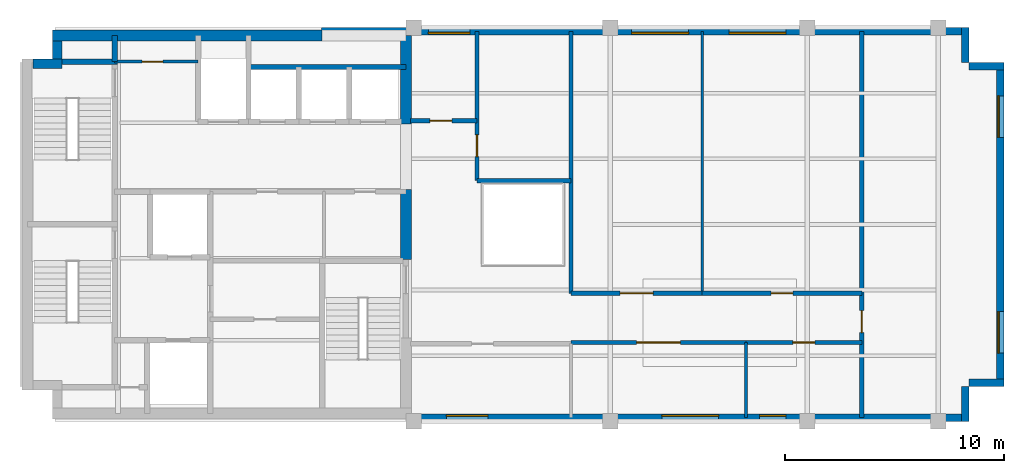
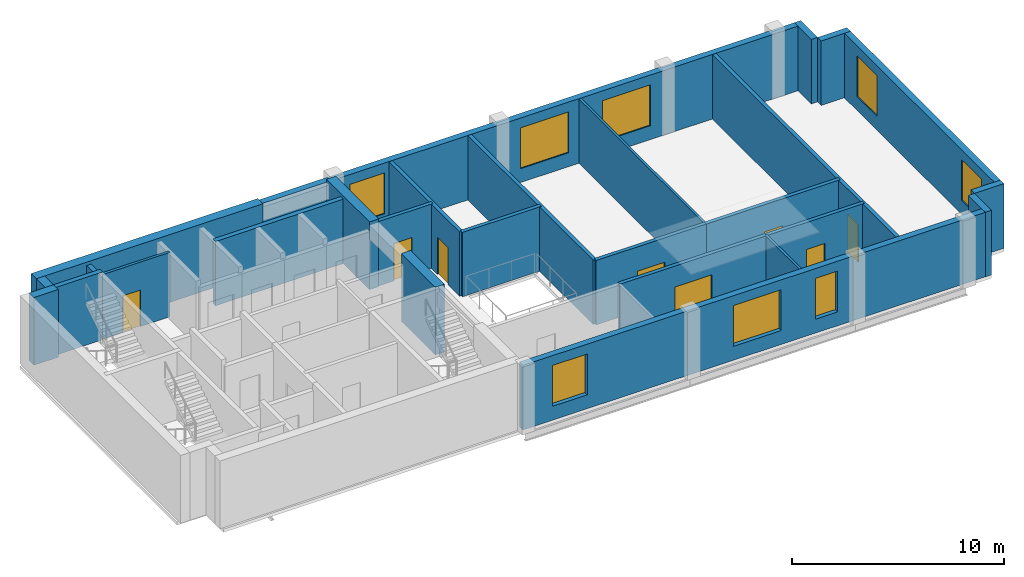
# One storey, part 3 of 5: 27 walls, 8 doors, 8 windows, 16 openings.
"""IFC4 building model written with IfcOpenShell, lengths in metres."""

from ifc_helpers import new_model, si_unit, direction, frame, frame_2d, origin, place, context, subcontext, project, spatial, rectangle, extrude, material, layer, layer_set, type_object, element, fill, save


model = new_model("IFC4")

# Units and contexts
model_context = context("Model", 3, precision=1e-05, world=origin(), true_north=direction((0.0, 1.0)))
body_context = subcontext(model_context, "Body", "Model", "MODEL_VIEW")
ifc_project = project(units=[si_unit("LENGTHUNIT", "METRE"), si_unit("AREAUNIT", "SQUARE_METRE"), si_unit("VOLUMEUNIT", "CUBIC_METRE"), si_unit("PLANEANGLEUNIT", "RADIAN"), si_unit("MASSUNIT", "GRAM", prefix="KILO")], contexts=[model_context])

# Site, building, storey
site_placement = place(None, origin())
site = spatial("IfcSite", under=ifc_project, at=site_placement, CompositionType="ELEMENT")
building_placement = place(site_placement, origin())
building = spatial("IfcBuilding", under=site, at=building_placement, Name="Mawjdan Bourse Tower", CompositionType="ELEMENT")
storey_placement = place(building_placement, frame((0.0, 0.0, 293.699951171875)))
storey = spatial("IfcBuildingStorey", under=building, at=storey_placement, Name="L72", CompositionType="ELEMENT", Elevation=293.699951171875)

# Wall, openings, windows
ifc_material_1 = material(Name="Brick Masonry Buff", Category="masonry")
ifc_layer_1 = layer(ifc_material_1, 0.340087890625)
ifc_layer_set_1 = layer_set([ifc_layer_1], Name="Brick Masonry Buff")
wall_type_1 = type_object("IfcWallType", Name="WL-BRK-SPN-340", PredefinedType="STANDARD", material=ifc_layer_set_1)
wall_1_placement = place(storey_placement, frame((23.89990234375, 3.169921875, 0.0), z_axis=(0.0, 0.0, 1.0), x_axis=(1.0, 0.0, 0.0)))
wall_1 = element("IfcWall", 1, at=wall_1_placement, inside=storey, type_object=wall_type_1, Name="L72 Exterior Brick Wall 1", PredefinedType="STANDARD", context=body_context, shape_type="SweptSolid", body=[
    extrude(rectangle(XDim=25.5, YDim=0.340087890625, at=frame_2d((12.75, 0.0))), origin(), (0.0, 0.0, 1.0), 3.715087890625),
])
opening_1_placement = place(wall_1_placement, frame((1.60009765625, 0.0, 0.800048828125)))
opening_1 = element("IfcOpeningElement", 2, at=opening_1_placement, cuts=wall_1, Name="Opening W-L72-01", PredefinedType="OPENING", context=body_context, shape_type="SweptSolid", body=[
    extrude(rectangle(XDim=1.89990234375, YDim=2.35009765625, at=frame_2d((0.949951171875, 1.175048828125))), frame((0.0, 0.18017578125, 0.0), z_axis=(0.0, -1.0, 0.0), x_axis=(1.0, 0.0, 0.0)), (0.0, 0.0, 1.0), 0.360107421875),
])
opening_2_placement = place(wall_1_placement, frame((11.449951171875, 0.0, 0.800048828125)))
opening_2 = element("IfcOpeningElement", 3, at=opening_2_placement, cuts=wall_1, Name="Opening W-L72-02", PredefinedType="OPENING", context=body_context, shape_type="SweptSolid", body=[
    extrude(rectangle(XDim=2.60009765625, YDim=2.35009765625, at=frame_2d((1.300048828125, 1.175048828125))), frame((0.0, 0.18017578125, 0.0), z_axis=(0.0, -1.0, 0.0), x_axis=(1.0, 0.0, 0.0)), (0.0, 0.0, 1.0), 0.360107421875),
])
opening_3_placement = place(wall_1_placement, frame((15.9248046875, 0.0, 0.800048828125)))
opening_3 = element("IfcOpeningElement", 4, at=opening_3_placement, cuts=wall_1, Name="Opening W-L72-06", PredefinedType="OPENING", context=body_context, shape_type="SweptSolid", body=[
    extrude(rectangle(XDim=1.199951171875, YDim=2.35009765625, at=frame_2d((0.60009765625, 1.175048828125))), frame((0.0, 0.18017578125, 0.0), z_axis=(0.0, -1.0, 0.0), x_axis=(1.0, 0.0, 0.0)), (0.0, 0.0, 1.0), 0.360107421875),
])
ifc_material_2 = material(Name="Solar-Control Clear Double Glazing", Category="glass")
window_type_1 = type_object("IfcWindowType", Name="WN-SMT-1200", PartitioningType="SINGLE_PANEL", PredefinedType="WINDOW", material=ifc_material_2)
window_1_placement = place(opening_3_placement, origin())
window_1 = element("IfcWindow", 5, at=window_1_placement, inside=storey, type_object=window_type_1, Name="L72 Deep-Set Masonry Window W-L72-06", OverallHeight=2.35009765625, OverallWidth=1.199951171875, PartitioningType="SINGLE_PANEL", PredefinedType="WINDOW", context=body_context, shape_type="SweptSolid", body=[
    extrude(rectangle(XDim=1.199951171875, YDim=2.35009765625, at=frame_2d((0.60009765625, 1.175048828125))), frame((0.0, 0.110107421875, 0.0), z_axis=(0.0, -1.0, 0.0), x_axis=(1.0, 0.0, 0.0)), (0.0, 0.0, 1.0), 0.06005859375),
])
fill(opening_3, window_1)
window_type_2 = type_object("IfcWindowType", Name="WN-SMT-1900", PartitioningType="SINGLE_PANEL", PredefinedType="WINDOW", material=ifc_material_2)
window_2_placement = place(opening_1_placement, origin())
window_2 = element("IfcWindow", 6, at=window_2_placement, inside=storey, type_object=window_type_2, Name="L72 Deep-Set Masonry Window W-L72-01", OverallHeight=2.35009765625, OverallWidth=1.89990234375, PartitioningType="SINGLE_PANEL", PredefinedType="WINDOW", context=body_context, shape_type="SweptSolid", body=[
    extrude(rectangle(XDim=1.89990234375, YDim=2.35009765625, at=frame_2d((0.949951171875, 1.175048828125))), frame((0.0, 0.110107421875, 0.0), z_axis=(0.0, -1.0, 0.0), x_axis=(1.0, 0.0, 0.0)), (0.0, 0.0, 1.0), 0.06005859375),
])
fill(opening_1, window_2)
window_type_3 = type_object("IfcWindowType", Name="WN-SMT-2600", PartitioningType="SINGLE_PANEL", PredefinedType="WINDOW", material=ifc_material_2)
window_3_placement = place(opening_2_placement, origin())
window_3 = element("IfcWindow", 7, at=window_3_placement, inside=storey, type_object=window_type_3, Name="L72 Deep-Set Masonry Window W-L72-02", OverallHeight=2.35009765625, OverallWidth=2.60009765625, PartitioningType="SINGLE_PANEL", PredefinedType="WINDOW", context=body_context, shape_type="SweptSolid", body=[
    extrude(rectangle(XDim=2.60009765625, YDim=2.35009765625, at=frame_2d((1.300048828125, 1.175048828125))), frame((0.0, 0.110107421875, 0.0), z_axis=(0.0, -1.0, 0.0), x_axis=(1.0, 0.0, 0.0)), (0.0, 0.0, 1.0), 0.06005859375),
])
fill(opening_2, window_3)

# Walls
for number, where, z_axis, x_axis, name in (
    (8, (49.22998046875, 3.0, 0.0), (0.0, 0.0, 1.0), (0.0, 1.0, 0.0), "L72 Exterior Brick Wall 2"),
    (9, (49.39990234375, 4.77001953125, 0.0), (0.0, 0.0, 1.0), (1.0, 0.0, 0.0), "L72 Exterior Brick Wall 3"),
):
    element("IfcWall", number, at=place(storey_placement, frame(where, z_axis=z_axis, x_axis=x_axis)), inside=storey, type_object=wall_type_1, Name=name, PredefinedType="STANDARD", context=body_context, shape_type="SweptSolid", body=[
        extrude(rectangle(XDim=1.60009765625, YDim=0.340087890625, at=frame_2d((0.800048828125, 0.0))), origin(), (0.0, 0.0, 1.0), 3.715087890625),
    ])

# Wall, openings, windows
wall_2_placement = place(storey_placement, frame((50.830078125, 4.60009765625, 0.0), z_axis=(0.0, 0.0, 1.0), x_axis=(0.0, 1.0, 0.0)))
wall_2 = element("IfcWall", 10, at=wall_2_placement, inside=storey, type_object=wall_type_1, Name="L72 Exterior Brick Wall 4", PredefinedType="STANDARD", context=body_context, shape_type="SweptSolid", body=[
    extrude(rectangle(XDim=14.7998046875, YDim=0.340087890625, at=frame_2d((7.39990234375, 0.0))), origin(), (0.0, 0.0, 1.0), 3.715087890625),
])
opening_4_placement = place(wall_2_placement, frame((1.5166015625, 0.0, 0.800048828125)))
opening_4 = element("IfcOpeningElement", 11, at=opening_4_placement, cuts=wall_2, Name="Opening W-L72-03", PredefinedType="OPENING", context=body_context, shape_type="SweptSolid", body=[
    extrude(rectangle(XDim=1.89990234375, YDim=2.35009765625, at=frame_2d((0.949951171875, 1.175048828125))), frame((0.0, 0.18017578125, 0.0), z_axis=(0.0, -1.0, 0.0), x_axis=(1.0, 0.0, 0.0)), (0.0, 0.0, 1.0), 0.360107421875),
])
opening_5_placement = place(wall_2_placement, frame((11.38330078125, 0.0, 0.800048828125)))
opening_5 = element("IfcOpeningElement", 12, at=opening_5_placement, cuts=wall_2, Name="Opening W-L72-04", PredefinedType="OPENING", context=body_context, shape_type="SweptSolid", body=[
    extrude(rectangle(XDim=1.89990234375, YDim=2.35009765625, at=frame_2d((0.949951171875, 1.175048828125))), frame((0.0, 0.18017578125, 0.0), z_axis=(0.0, -1.0, 0.0), x_axis=(1.0, 0.0, 0.0)), (0.0, 0.0, 1.0), 0.360107421875),
])
window_4_placement = place(opening_4_placement, origin())
window_4 = element("IfcWindow", 13, at=window_4_placement, inside=storey, type_object=window_type_2, Name="L72 Deep-Set Masonry Window W-L72-03", OverallHeight=2.35009765625, OverallWidth=1.89990234375, PartitioningType="SINGLE_PANEL", PredefinedType="WINDOW", context=body_context, shape_type="SweptSolid", body=[
    extrude(rectangle(XDim=1.89990234375, YDim=2.35009765625, at=frame_2d((0.949951171875, 1.175048828125))), frame((0.0, 0.110107421875, 0.0), z_axis=(0.0, -1.0, 0.0), x_axis=(1.0, 0.0, 0.0)), (0.0, 0.0, 1.0), 0.06005859375),
])
fill(opening_4, window_4)
window_5_placement = place(opening_5_placement, origin())
window_5 = element("IfcWindow", 14, at=window_5_placement, inside=storey, type_object=window_type_2, Name="L72 Deep-Set Masonry Window W-L72-04", OverallHeight=2.35009765625, OverallWidth=1.89990234375, PartitioningType="SINGLE_PANEL", PredefinedType="WINDOW", context=body_context, shape_type="SweptSolid", body=[
    extrude(rectangle(XDim=1.89990234375, YDim=2.35009765625, at=frame_2d((0.949951171875, 1.175048828125))), frame((0.0, 0.110107421875, 0.0), z_axis=(0.0, -1.0, 0.0), x_axis=(1.0, 0.0, 0.0)), (0.0, 0.0, 1.0), 0.06005859375),
])
fill(opening_5, window_5)

# Walls
for number, where, z_axis, x_axis, name in (
    (15, (51.0, 19.22998046875, 0.0), (0.0, 0.0, 1.0), (-1.0, 0.0, 0.0), "L72 Exterior Brick Wall 5"),
    (16, (49.22998046875, 19.39990234375, 0.0), (0.0, 0.0, 1.0), (0.0, 1.0, 0.0), "L72 Exterior Brick Wall 6"),
):
    element("IfcWall", number, at=place(storey_placement, frame(where, z_axis=z_axis, x_axis=x_axis)), inside=storey, type_object=wall_type_1, Name=name, PredefinedType="STANDARD", context=body_context, shape_type="SweptSolid", body=[
        extrude(rectangle(XDim=1.60009765625, YDim=0.340087890625, at=frame_2d((0.800048828125, 0.0))), origin(), (0.0, 0.0, 1.0), 3.715087890625),
    ])

# Wall, openings, windows
wall_3_placement = place(storey_placement, frame((49.39990234375, 20.830078125, 0.0), z_axis=(0.0, 0.0, 1.0), x_axis=(-1.0, 0.0, 0.0)))
wall_3 = element("IfcWall", 17, at=wall_3_placement, inside=storey, type_object=wall_type_1, Name="L72 Exterior Brick Wall 7", PredefinedType="STANDARD", context=body_context, shape_type="SweptSolid", body=[
    extrude(rectangle(XDim=29.619873046875, YDim=0.340087890625, at=frame_2d((14.81005859375, 0.0))), origin(), (0.0, 0.0, 1.0), 3.715087890625),
])
opening_6_placement = place(wall_3_placement, frame((22.82568359375, 0.0, 0.800048828125)))
opening_6 = element("IfcOpeningElement", 18, at=opening_6_placement, cuts=wall_3, Name="Opening W-L72-05", PredefinedType="OPENING", context=body_context, shape_type="SweptSolid", body=[
    extrude(rectangle(XDim=1.89990234375, YDim=2.35009765625, at=frame_2d((0.949951171875, 1.175048828125))), frame((0.0, 0.18017578125, 0.0), z_axis=(0.0, -1.0, 0.0), x_axis=(1.0, 0.0, 0.0)), (0.0, 0.0, 1.0), 0.360107421875),
])
opening_7_placement = place(wall_3_placement, frame((12.82470703125, 0.0, 0.800048828125)))
opening_7 = element("IfcOpeningElement", 19, at=opening_7_placement, cuts=wall_3, Name="Opening W-L72-07", PredefinedType="OPENING", context=body_context, shape_type="SweptSolid", body=[
    extrude(rectangle(XDim=2.60009765625, YDim=2.35009765625, at=frame_2d((1.300048828125, 1.175048828125))), frame((0.0, 0.18017578125, 0.0), z_axis=(0.0, -1.0, 0.0), x_axis=(1.0, 0.0, 0.0)), (0.0, 0.0, 1.0), 0.360107421875),
])
opening_8_placement = place(wall_3_placement, frame((8.374755859375, 0.0, 0.800048828125)))
opening_8 = element("IfcOpeningElement", 20, at=opening_8_placement, cuts=wall_3, Name="Opening W-L72-08", PredefinedType="OPENING", context=body_context, shape_type="SweptSolid", body=[
    extrude(rectangle(XDim=2.60009765625, YDim=2.35009765625, at=frame_2d((1.300048828125, 1.175048828125))), frame((0.0, 0.18017578125, 0.0), z_axis=(0.0, -1.0, 0.0), x_axis=(1.0, 0.0, 0.0)), (0.0, 0.0, 1.0), 0.360107421875),
])
window_6_placement = place(opening_6_placement, origin())
window_6 = element("IfcWindow", 21, at=window_6_placement, inside=storey, type_object=window_type_2, Name="L72 Deep-Set Masonry Window W-L72-05", OverallHeight=2.35009765625, OverallWidth=1.89990234375, PartitioningType="SINGLE_PANEL", PredefinedType="WINDOW", context=body_context, shape_type="SweptSolid", body=[
    extrude(rectangle(XDim=1.89990234375, YDim=2.35009765625, at=frame_2d((0.949951171875, 1.175048828125))), frame((0.0, 0.110107421875, 0.0), z_axis=(0.0, -1.0, 0.0), x_axis=(1.0, 0.0, 0.0)), (0.0, 0.0, 1.0), 0.06005859375),
])
fill(opening_6, window_6)
window_7_placement = place(opening_7_placement, origin())
window_7 = element("IfcWindow", 22, at=window_7_placement, inside=storey, type_object=window_type_3, Name="L72 Deep-Set Masonry Window W-L72-07", OverallHeight=2.35009765625, OverallWidth=2.60009765625, PartitioningType="SINGLE_PANEL", PredefinedType="WINDOW", context=body_context, shape_type="SweptSolid", body=[
    extrude(rectangle(XDim=2.60009765625, YDim=2.35009765625, at=frame_2d((1.300048828125, 1.175048828125))), frame((0.0, 0.110107421875, 0.0), z_axis=(0.0, -1.0, 0.0), x_axis=(1.0, 0.0, 0.0)), (0.0, 0.0, 1.0), 0.06005859375),
])
fill(opening_7, window_7)
window_8_placement = place(opening_8_placement, origin())
window_8 = element("IfcWindow", 23, at=window_8_placement, inside=storey, type_object=window_type_3, Name="L72 Deep-Set Masonry Window W-L72-08", OverallHeight=2.35009765625, OverallWidth=2.60009765625, PartitioningType="SINGLE_PANEL", PredefinedType="WINDOW", context=body_context, shape_type="SweptSolid", body=[
    extrude(rectangle(XDim=2.60009765625, YDim=2.35009765625, at=frame_2d((1.300048828125, 1.175048828125))), frame((0.0, 0.110107421875, 0.0), z_axis=(0.0, -1.0, 0.0), x_axis=(1.0, 0.0, 0.0)), (0.0, 0.0, 1.0), 0.06005859375),
])
fill(opening_8, window_8)

# Wall, opening, door
ifc_material_3 = material(Name="Gypsum Fireboard Assembly")
ifc_layer_2 = layer(ifc_material_3, 0.199951171875)
ifc_layer_set_2 = layer_set([ifc_layer_2], Name="Gypsum Fireboard Assembly")
wall_type_2 = type_object("IfcWallType", Name="WL-CMP-200", PredefinedType="PARTITIONING", material=ifc_layer_set_2)
wall_4_placement = place(storey_placement, frame((23.85009765625, 16.75, 0.0), z_axis=(0.0, 0.0, 1.0), x_axis=(1.0, 0.0, 0.0)))
wall_4 = element("IfcWall", 24, at=wall_4_placement, inside=storey, type_object=wall_type_2, Name="L72 Summit NW Study South Wall", PredefinedType="PARTITIONING", context=body_context, shape_type="SweptSolid", body=[
    extrude(rectangle(XDim=3.0498046875, YDim=0.199951171875, at=frame_2d((1.52490234375, 0.0))), origin(), (0.0, 0.0, 1.0), 3.705078125),
])
opening_9_placement = place(wall_4_placement, frame((0.89990234375, 0.0, 0.0)))
opening_9 = element("IfcOpeningElement", 25, at=opening_9_placement, cuts=wall_4, Name="Opening D-L72-18", PredefinedType="OPENING", context=body_context, shape_type="SweptSolid", body=[
    extrude(rectangle(XDim=1.0, YDim=2.14990234375, at=frame_2d((0.5, 1.074951171875))), frame((0.0, 0.10986328125, 0.0), z_axis=(0.0, -1.0, 0.0), x_axis=(1.0, 0.0, 0.0)), (0.0, 0.0, 1.0), 0.219970703125),
])
ifc_material_4 = material(Name="Hardwood Acoustic Leaf", Category="wood")
door_type_1 = type_object("IfcDoorType", Name="DR-OFC-1000", OperationType="NOTDEFINED", PredefinedType="DOOR", material=ifc_material_4)
door_1_placement = place(opening_9_placement, origin())
door_1 = element("IfcDoor", 26, at=door_1_placement, inside=storey, type_object=door_type_1, Name="L72 Summit NW Study Door D-L72-18", OperationType="SINGLE_SWING_RIGHT", OverallHeight=2.14990234375, OverallWidth=1.0, PredefinedType="DOOR", context=body_context, shape_type="SweptSolid", body=[
    extrude(rectangle(XDim=1.0, YDim=2.14990234375, at=frame_2d((0.5, 1.074951171875))), frame((0.0, 0.02490234375, 0.0), z_axis=(0.0, -1.0, 0.0), x_axis=(1.0, 0.0, 0.0)), (0.0, 0.0, 1.0), 0.050048828125),
])
fill(opening_9, door_1)

wall_5_placement = place(storey_placement, frame((26.89990234375, 14.0, 0.0), z_axis=(0.0, 0.0, 1.0), x_axis=(0.0, 1.0, 0.0)))
wall_5 = element("IfcWall", 27, at=wall_5_placement, inside=storey, type_object=wall_type_2, Name="L72 Summit North Atrium Suite West Wall", PredefinedType="PARTITIONING", context=body_context, shape_type="SweptSolid", body=[
    extrude(rectangle(XDim=6.820068359375, YDim=0.199951171875, at=frame_2d((3.41015625, 0.0))), origin(), (0.0, 0.0, 1.0), 3.705078125),
])
opening_10_placement = place(wall_5_placement, frame((1.10009765625, 0.0, 0.0)))
opening_10 = element("IfcOpeningElement", 28, at=opening_10_placement, cuts=wall_5, Name="Opening D-L72-19", PredefinedType="OPENING", context=body_context, shape_type="SweptSolid", body=[
    extrude(rectangle(XDim=1.0, YDim=2.14990234375, at=frame_2d((0.5, 1.074951171875))), frame((0.0, 0.10986328125, 0.0), z_axis=(0.0, -1.0, 0.0), x_axis=(1.0, 0.0, 0.0)), (0.0, 0.0, 1.0), 0.219970703125),
])
door_2_placement = place(opening_10_placement, origin())
door_2 = element("IfcDoor", 29, at=door_2_placement, inside=storey, type_object=door_type_1, Name="L72 Summit North Atrium Suite Door D-L72-19", OperationType="SINGLE_SWING_LEFT", OverallHeight=2.14990234375, OverallWidth=1.0, PredefinedType="DOOR", context=body_context, shape_type="SweptSolid", body=[
    extrude(rectangle(XDim=1.0, YDim=2.14990234375, at=frame_2d((0.5, 1.074951171875))), frame((0.0, 0.02490234375, 0.0), z_axis=(0.0, -1.0, 0.0), x_axis=(1.0, 0.0, 0.0)), (0.0, 0.0, 1.0), 0.050048828125),
])
fill(opening_10, door_2)

# Walls
wall_6_placement = place(storey_placement, frame((26.89990234375, 14.0, 0.0), z_axis=(0.0, 0.0, 1.0), x_axis=(1.0, 0.0, 0.0)))
element("IfcWall", 30, at=wall_6_placement, inside=storey, type_object=wall_type_2, Name="L72 Summit North Atrium Suite South Wall", PredefinedType="PARTITIONING", context=body_context, shape_type="SweptSolid", body=[
    extrude(rectangle(XDim=4.300048828125, YDim=0.199951171875, at=frame_2d((2.14990234375, 0.0))), origin(), (0.0, 0.0, 1.0), 3.705078125),
])
wall_7_placement = place(storey_placement, frame((31.199951171875, 8.85009765625, 0.0), z_axis=(0.0, 0.0, 1.0), x_axis=(0.0, 1.0, 0.0)))
element("IfcWall", 31, at=wall_7_placement, inside=storey, type_object=wall_type_2, Name="L72 Summit North Atrium Suite East Wall", PredefinedType="PARTITIONING", context=body_context, shape_type="SweptSolid", body=[
    extrude(rectangle(XDim=11.969970703125, YDim=0.199951171875, at=frame_2d((5.98486328125, 0.0))), origin(), (0.0, 0.0, 1.0), 3.705078125),
])

# Wall, opening, door
wall_8_placement = place(storey_placement, frame((31.199951171875, 6.60009765625, 0.0), z_axis=(0.0, 0.0, 1.0), x_axis=(1.0, 0.0, 0.0)))
wall_8 = element("IfcWall", 32, at=wall_8_placement, inside=storey, type_object=wall_type_2, Name="L72 Summit Investment Hall Corridor Wall", PredefinedType="PARTITIONING", context=body_context, shape_type="SweptSolid", body=[
    extrude(rectangle(XDim=8.0, YDim=0.199951171875, at=frame_2d((4.0, 0.0))), origin(), (0.0, 0.0, 1.0), 3.705078125),
])
opening_11_placement = place(wall_8_placement, frame((3.0, 0.0, 0.0)))
opening_11 = element("IfcOpeningElement", 33, at=opening_11_placement, cuts=wall_8, Name="Opening D-L72-20", PredefinedType="OPENING", context=body_context, shape_type="SweptSolid", body=[
    extrude(rectangle(XDim=2.0, YDim=2.5, at=frame_2d((1.0, 1.25))), frame((0.0, 0.10986328125, 0.0), z_axis=(0.0, -1.0, 0.0), x_axis=(1.0, 0.0, 0.0)), (0.0, 0.0, 1.0), 0.219970703125),
])
ifc_material_5 = material(Name="Acoustic Veneered Timber", Category="wood")
door_type_2 = type_object("IfcDoorType", Name="DR-ASM-2000", OperationType="DOUBLE_DOOR_SINGLE_SWING", PredefinedType="DOOR", material=ifc_material_5)
door_3_placement = place(opening_11_placement, origin())
door_3 = element("IfcDoor", 34, at=door_3_placement, inside=storey, type_object=door_type_2, Name="L72 Summit Investment Hall Door D-L72-20", OperationType="DOUBLE_DOOR_SINGLE_SWING", OverallHeight=2.5, OverallWidth=2.0, PredefinedType="DOOR", context=body_context, shape_type="SweptSolid", body=[
    extrude(rectangle(XDim=2.0, YDim=2.5, at=frame_2d((1.0, 1.25))), frame((0.0, 0.02490234375, 0.0), z_axis=(0.0, -1.0, 0.0), x_axis=(1.0, 0.0, 0.0)), (0.0, 0.0, 1.0), 0.050048828125),
])
fill(opening_11, door_3)

wall_9_placement = place(storey_placement, frame((39.199951171875, 6.60009765625, 0.0), z_axis=(0.0, 0.0, 1.0), x_axis=(1.0, 0.0, 0.0)))
wall_9 = element("IfcWall", 35, at=wall_9_placement, inside=storey, type_object=wall_type_2, Name="L72 Executive Office Corridor Wall", PredefinedType="PARTITIONING", context=body_context, shape_type="SweptSolid", body=[
    extrude(rectangle(XDim=5.300048828125, YDim=0.199951171875, at=frame_2d((2.64990234375, 0.0))), origin(), (0.0, 0.0, 1.0), 3.705078125),
])
opening_12_placement = place(wall_9_placement, frame((2.14990234375, 0.0, 0.0)))
opening_12 = element("IfcOpeningElement", 36, at=opening_12_placement, cuts=wall_9, Name="Opening D-L72-21", PredefinedType="OPENING", context=body_context, shape_type="SweptSolid", body=[
    extrude(rectangle(XDim=1.0, YDim=2.14990234375, at=frame_2d((0.5, 1.074951171875))), frame((0.0, 0.10986328125, 0.0), z_axis=(0.0, -1.0, 0.0), x_axis=(1.0, 0.0, 0.0)), (0.0, 0.0, 1.0), 0.219970703125),
])
door_4_placement = place(opening_12_placement, origin())
door_4 = element("IfcDoor", 37, at=door_4_placement, inside=storey, type_object=door_type_1, Name="L72 Executive Office Door D-L72-21", OperationType="SINGLE_SWING_RIGHT", OverallHeight=2.14990234375, OverallWidth=1.0, PredefinedType="DOOR", context=body_context, shape_type="SweptSolid", body=[
    extrude(rectangle(XDim=1.0, YDim=2.14990234375, at=frame_2d((0.5, 1.074951171875))), frame((0.0, 0.02490234375, 0.0), z_axis=(0.0, -1.0, 0.0), x_axis=(1.0, 0.0, 0.0)), (0.0, 0.0, 1.0), 0.050048828125),
])
fill(opening_12, door_4)

wall_10_placement = place(storey_placement, frame((31.199951171875, 8.85009765625, 0.0), z_axis=(0.0, 0.0, 1.0), x_axis=(1.0, 0.0, 0.0)))
wall_10 = element("IfcWall", 38, at=wall_10_placement, inside=storey, type_object=wall_type_2, Name="L72 Conference Room Corridor Wall", PredefinedType="PARTITIONING", context=body_context, shape_type="SweptSolid", body=[
    extrude(rectangle(XDim=6.0, YDim=0.199951171875, at=frame_2d((3.0, 0.0))), origin(), (0.0, 0.0, 1.0), 3.705078125),
])
opening_13_placement = place(wall_10_placement, frame((2.25, 0.0, 0.0)))
opening_13 = element("IfcOpeningElement", 39, at=opening_13_placement, cuts=wall_10, Name="Opening D-L72-22", PredefinedType="OPENING", context=body_context, shape_type="SweptSolid", body=[
    extrude(rectangle(XDim=1.5, YDim=2.300048828125, at=frame_2d((0.75, 1.14990234375))), frame((0.0, 0.10986328125, 0.0), z_axis=(0.0, -1.0, 0.0), x_axis=(1.0, 0.0, 0.0)), (0.0, 0.0, 1.0), 0.219970703125),
])
ifc_material_6 = material(Name="Acoustic Glazed Timber", Category="wood")
door_type_3 = type_object("IfcDoorType", Name="DR-CNF-1500", OperationType="DOUBLE_DOOR_SINGLE_SWING", PredefinedType="DOOR", material=ifc_material_6)
door_5_placement = place(opening_13_placement, origin())
door_5 = element("IfcDoor", 40, at=door_5_placement, inside=storey, type_object=door_type_3, Name="L72 Conference Room Door D-L72-22", OperationType="DOUBLE_DOOR_SINGLE_SWING", OverallHeight=2.300048828125, OverallWidth=1.5, PredefinedType="DOOR", context=body_context, shape_type="SweptSolid", body=[
    extrude(rectangle(XDim=1.5, YDim=2.300048828125, at=frame_2d((0.75, 1.14990234375))), frame((0.0, 0.02490234375, 0.0), z_axis=(0.0, -1.0, 0.0), x_axis=(1.0, 0.0, 0.0)), (0.0, 0.0, 1.0), 0.050048828125),
])
fill(opening_13, door_5)

wall_11_placement = place(storey_placement, frame((37.199951171875, 8.85009765625, 0.0), z_axis=(0.0, 0.0, 1.0), x_axis=(1.0, 0.0, 0.0)))
wall_11 = element("IfcWall", 41, at=wall_11_placement, inside=storey, type_object=wall_type_2, Name="L72 Chief Risk Officer Office Corridor Wall", PredefinedType="PARTITIONING", context=body_context, shape_type="SweptSolid", body=[
    extrude(rectangle(XDim=7.300048828125, YDim=0.199951171875, at=frame_2d((3.64990234375, 0.0))), origin(), (0.0, 0.0, 1.0), 3.705078125),
])
opening_14_placement = place(wall_11_placement, frame((3.14990234375, 0.0, 0.0)))
opening_14 = element("IfcOpeningElement", 42, at=opening_14_placement, cuts=wall_11, Name="Opening D-L72-23", PredefinedType="OPENING", context=body_context, shape_type="SweptSolid", body=[
    extrude(rectangle(XDim=1.0, YDim=2.14990234375, at=frame_2d((0.5, 1.074951171875))), frame((0.0, 0.10986328125, 0.0), z_axis=(0.0, -1.0, 0.0), x_axis=(1.0, 0.0, 0.0)), (0.0, 0.0, 1.0), 0.219970703125),
])
door_6_placement = place(opening_14_placement, origin())
door_6 = element("IfcDoor", 43, at=door_6_placement, inside=storey, type_object=door_type_1, Name="L72 Chief Risk Officer Office Door D-L72-23", OperationType="SINGLE_SWING_LEFT", OverallHeight=2.14990234375, OverallWidth=1.0, PredefinedType="DOOR", context=body_context, shape_type="SweptSolid", body=[
    extrude(rectangle(XDim=1.0, YDim=2.14990234375, at=frame_2d((0.5, 1.074951171875))), frame((0.0, 0.02490234375, 0.0), z_axis=(0.0, -1.0, 0.0), x_axis=(1.0, 0.0, 0.0)), (0.0, 0.0, 1.0), 0.050048828125),
])
fill(opening_14, door_6)

wall_12_placement = place(storey_placement, frame((44.5, 3.179931640625, 0.0), z_axis=(0.0, 0.0, 1.0), x_axis=(0.0, 1.0, 0.0)))
wall_12 = element("IfcWall", 44, at=wall_12_placement, inside=storey, type_object=wall_type_2, Name="L72 East Tip Full Cross Wall", PredefinedType="PARTITIONING", context=body_context, shape_type="SweptSolid", body=[
    extrude(rectangle(XDim=17.64013671875, YDim=0.199951171875, at=frame_2d((8.820068359375, 0.0))), origin(), (0.0, 0.0, 1.0), 3.705078125),
])
opening_15_placement = place(wall_12_placement, frame((3.875, 0.0, 0.0)))
opening_15 = element("IfcOpeningElement", 45, at=opening_15_placement, cuts=wall_12, Name="Opening D-L72-24", PredefinedType="OPENING", context=body_context, shape_type="SweptSolid", body=[
    extrude(rectangle(XDim=1.0, YDim=2.14990234375, at=frame_2d((0.5, 1.074951171875))), frame((0.0, 0.10986328125, 0.0), z_axis=(0.0, -1.0, 0.0), x_axis=(1.0, 0.0, 0.0)), (0.0, 0.0, 1.0), 0.219970703125),
])
door_7_placement = place(opening_15_placement, origin())
door_7 = element("IfcDoor", 46, at=door_7_placement, inside=storey, type_object=door_type_1, Name="L72 East Tip Hall Door D-L72-24", OperationType="SINGLE_SWING_RIGHT", OverallHeight=2.14990234375, OverallWidth=1.0, PredefinedType="DOOR", context=body_context, shape_type="SweptSolid", body=[
    extrude(rectangle(XDim=1.0, YDim=2.14990234375, at=frame_2d((0.5, 1.074951171875))), frame((0.0, 0.02490234375, 0.0), z_axis=(0.0, -1.0, 0.0), x_axis=(1.0, 0.0, 0.0)), (0.0, 0.0, 1.0), 0.050048828125),
])
fill(opening_15, door_7)

# Walls
ifc_material_7 = material(Name="Concrete C60/75", Category="concrete")
ifc_layer_3 = layer(ifc_material_7, 0.449951171875)
ifc_layer_set_3 = layer_set([ifc_layer_3], Name="Concrete C60/75")
wall_type_3 = type_object("IfcWallType", Name="WL-CORE-450", PredefinedType="SHEAR", material=ifc_layer_set_3)
wall_13_placement = place(storey_placement, frame((6.60009765625, 19.35009765625, 0.0), z_axis=(0.0, 0.0, 1.0), x_axis=(1.0, 0.0, 0.0)))
element("IfcWall", 47, at=wall_13_placement, inside=storey, type_object=wall_type_3, Name="L72 Rear Core Shear Wall NW-X", PredefinedType="SHEAR", context=body_context, shape_type="SweptSolid", body=[
    extrude(rectangle(XDim=1.324951171875, YDim=0.449951171875, at=frame_2d((0.66259765625, 0.0))), origin(), (0.0, 0.0, 1.0), 3.900146484375),
])
wall_14_placement = place(storey_placement, frame((7.699951171875, 19.574951171875, 0.0), z_axis=(0.0, 0.0, 1.0), x_axis=(0.0, 1.0, 0.0)))
element("IfcWall", 48, at=wall_14_placement, inside=storey, type_object=wall_type_3, Name="L72 Rear Core Shear Wall NW-Y", PredefinedType="SHEAR", context=body_context, shape_type="SweptSolid", body=[
    extrude(rectangle(XDim=0.824951171875, YDim=0.449951171875, at=frame_2d((0.41259765625, 0.0))), origin(), (0.0, 0.0, 1.0), 3.900146484375),
])
ifc_layer_4 = layer(ifc_material_7, 0.5)
ifc_layer_set_4 = layer_set([ifc_layer_4], Name="Concrete C60/75")
wall_type_4 = type_object("IfcWallType", Name="WL-CORE-500", PredefinedType="SHEAR", material=ifc_layer_set_4)
wall_15_placement = place(storey_placement, frame((7.47509765625, 20.64990234375, 0.0), z_axis=(0.0, 0.0, 1.0), x_axis=(1.0, 0.0, 0.0)))
element("IfcWall", 49, at=wall_15_placement, inside=storey, type_object=wall_type_4, Name="L72 Rear Core Shear Wall N", PredefinedType="SHEAR", context=body_context, shape_type="SweptSolid", body=[
    extrude(rectangle(XDim=12.324951171875, YDim=0.5, at=frame_2d((6.16259765625, 0.0))), origin(), (0.0, 0.0, 1.0), 3.900146484375),
])
wall_16_placement = place(storey_placement, frame((23.64990234375, 10.39990234375, 0.0), z_axis=(0.0, 0.0, 1.0), x_axis=(0.0, 1.0, 0.0)))
element("IfcWall", 50, at=wall_16_placement, inside=storey, type_object=wall_type_4, Name="L72 Rear Core Shear Wall E2", PredefinedType="SHEAR", context=body_context, shape_type="SweptSolid", body=[
    extrude(rectangle(XDim=3.2001953125, YDim=0.5, at=frame_2d((1.60009765625, 0.0))), origin(), (0.0, 0.0, 1.0), 3.900146484375),
])
wall_17_placement = place(storey_placement, frame((23.64990234375, 16.60009765625, 0.0), z_axis=(0.0, 0.0, 1.0), x_axis=(0.0, 1.0, 0.0)))
element("IfcWall", 51, at=wall_17_placement, inside=storey, type_object=wall_type_4, Name="L72 Rear Core Shear Wall E3", PredefinedType="SHEAR", context=body_context, shape_type="SweptSolid", body=[
    extrude(rectangle(XDim=4.0498046875, YDim=0.5, at=frame_2d((2.02490234375, 0.0))), origin(), (0.0, 0.0, 1.0), 3.900146484375),
])
ifc_material_8 = material(Name="Gypsum Partition")
ifc_layer_5 = layer(ifc_material_8, 0.125)
ifc_layer_set_5 = layer_set([ifc_layer_5], Name="Gypsum Partition")
wall_type_5 = type_object("IfcWallType", Name="WL-PRT-125", PredefinedType="PARTITIONING", material=ifc_layer_set_5)
wall_18_placement = place(storey_placement, frame((39.199951171875, 3.179931640625, 0.0), z_axis=(0.0, 0.0, 1.0), x_axis=(0.0, 1.0, 0.0)))
element("IfcWall", 52, at=wall_18_placement, inside=storey, type_object=wall_type_5, Name="L72 Executive Office Partition", PredefinedType="PARTITIONING", context=body_context, shape_type="SweptSolid", body=[
    extrude(rectangle(XDim=3.420166015625, YDim=0.125, at=frame_2d((1.7099609375, 0.0))), origin(), (0.0, 0.0, 1.0), 3.705078125),
])
wall_19_placement = place(storey_placement, frame((37.199951171875, 8.85009765625, 0.0), z_axis=(0.0, 0.0, 1.0), x_axis=(0.0, 1.0, 0.0)))
element("IfcWall", 53, at=wall_19_placement, inside=storey, type_object=wall_type_5, Name="L72 Chief Risk Officer Office Partition", PredefinedType="PARTITIONING", context=body_context, shape_type="SweptSolid", body=[
    extrude(rectangle(XDim=11.969970703125, YDim=0.125, at=frame_2d((5.98486328125, 0.0))), origin(), (0.0, 0.0, 1.0), 3.705078125),
])

# Wall, opening, door
ifc_material_9 = material(Name="Gypsum Acoustic Partition")
ifc_layer_6 = layer(ifc_material_9, 0.14990234375)
ifc_layer_set_6 = layer_set([ifc_layer_6], Name="Gypsum Acoustic Partition")
wall_type_6 = type_object("IfcWallType", Name="WL-PRT-150", PredefinedType="PARTITIONING", material=ifc_layer_set_6)
wall_20_placement = place(storey_placement, frame((10.330078125, 19.449951171875, 0.0), z_axis=(0.0, 0.0, 1.0), x_axis=(1.0, 0.0, 0.0)))
wall_20 = element("IfcWall", 54, at=wall_20_placement, inside=storey, type_object=wall_type_6, Name="L72 Housekeeping South Wall", PredefinedType="PARTITIONING", context=body_context, shape_type="SweptSolid", body=[
    extrude(rectangle(XDim=3.81982421875, YDim=0.14990234375, at=frame_2d((1.909912109375, 0.0))), origin(), (0.0, 0.0, 1.0), 3.705078125),
])
opening_16_placement = place(wall_20_placement, frame((1.25, 0.0, 0.0)))
opening_16 = element("IfcOpeningElement", 55, at=opening_16_placement, cuts=wall_20, Name="Opening D-L72-16", PredefinedType="OPENING", context=body_context, shape_type="SweptSolid", body=[
    extrude(rectangle(XDim=0.949951171875, YDim=2.10009765625, at=frame_2d((0.47509765625, 1.050048828125))), frame((0.0, 0.0849609375, 0.0), z_axis=(0.0, -1.0, 0.0), x_axis=(1.0, 0.0, 0.0)), (0.0, 0.0, 1.0), 0.169921875),
])
ifc_material_10 = material(Name="Moisture-Resistant Laminate Timber", Category="wood")
door_type_4 = type_object("IfcDoorType", Name="DR-WET-0950", OperationType="NOTDEFINED", PredefinedType="DOOR", material=ifc_material_10)
door_8_placement = place(opening_16_placement, origin())
door_8 = element("IfcDoor", 56, at=door_8_placement, inside=storey, type_object=door_type_4, Name="L72 Housekeeping Closet Door D-L72-16", OperationType="SINGLE_SWING_RIGHT", OverallHeight=2.10009765625, OverallWidth=0.949951171875, PredefinedType="DOOR", context=body_context, shape_type="SweptSolid", body=[
    extrude(rectangle(XDim=0.949951171875, YDim=2.10009765625, at=frame_2d((0.47509765625, 1.050048828125))), frame((0.0, 0.02490234375, 0.0), z_axis=(0.0, -1.0, 0.0), x_axis=(1.0, 0.0, 0.0)), (0.0, 0.0, 1.0), 0.050048828125),
])
fill(opening_16, door_8)

# Walls
ifc_material_11 = material(Name="Concrete C50/60", Category="concrete")
ifc_layer_7 = layer(ifc_material_11, 0.25)
ifc_layer_set_7 = layer_set([ifc_layer_7], Name="Concrete C50/60")
wall_type_7 = type_object("IfcWallType", Name="WL-SHFT-250", PredefinedType="PARTITIONING", material=ifc_layer_set_7)
wall_21_placement = place(storey_placement, frame((10.330078125, 19.449951171875, 0.0), z_axis=(0.0, 0.0, 1.0), x_axis=(0.0, 1.0, 0.0)))
element("IfcWall", 57, at=wall_21_placement, inside=storey, type_object=wall_type_7, Name="L72 NW Riser East Wall", PredefinedType="PARTITIONING", context=body_context, shape_type="SweptSolid", body=[
    extrude(rectangle(XDim=1.199951171875, YDim=0.25, at=frame_2d((0.60009765625, 0.0))), origin(), (0.0, 0.0, 1.0), 3.705078125),
])
wall_22_placement = place(storey_placement, frame((16.449951171875, 19.199951171875, 0.0), z_axis=(0.0, 0.0, 1.0), x_axis=(1.0, 0.0, 0.0)))
element("IfcWall", 58, at=wall_22_placement, inside=storey, type_object=wall_type_7, Name="L72 PH Bank North Shaft Back Wall", PredefinedType="PARTITIONING", context=body_context, shape_type="SweptSolid", body=[
    extrude(rectangle(XDim=7.199951171875, YDim=0.25, at=frame_2d((3.60009765625, 0.0))), origin(), (0.0, 0.0, 1.0), 3.705078125),
])
ifc_layer_8 = layer(ifc_material_11, 0.25)
ifc_layer_set_8 = layer_set([ifc_layer_8], Name="Concrete C50/60")
wall_type_8 = type_object("IfcWallType", Name="WL-STRW-250", PredefinedType="SHEAR", material=ifc_layer_set_8)
wall_23_placement = place(storey_placement, frame((7.699951171875, 19.449951171875, 0.0), z_axis=(0.0, 0.0, 1.0), x_axis=(1.0, 0.0, 0.0)))
element("IfcWall", 59, at=wall_23_placement, inside=storey, type_object=wall_type_8, Name="L72 Stairwell ST2 North Shaft Wall", PredefinedType="SHEAR", context=body_context, shape_type="SweptSolid", body=[
    extrude(rectangle(XDim=2.755126953125, YDim=0.25, at=frame_2d((1.37744140625, 0.0))), origin(), (0.0, 0.0, 1.0), 3.900146484375),
])

save(model, "model.ifc")
